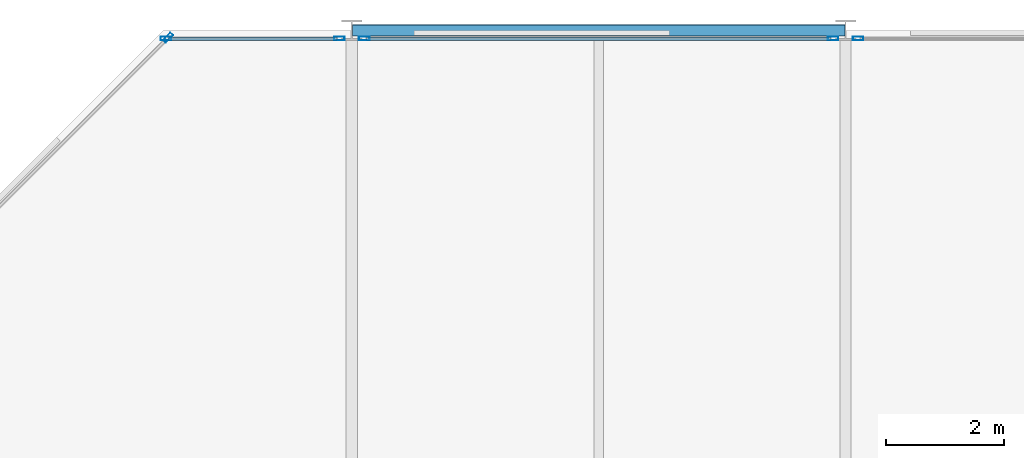
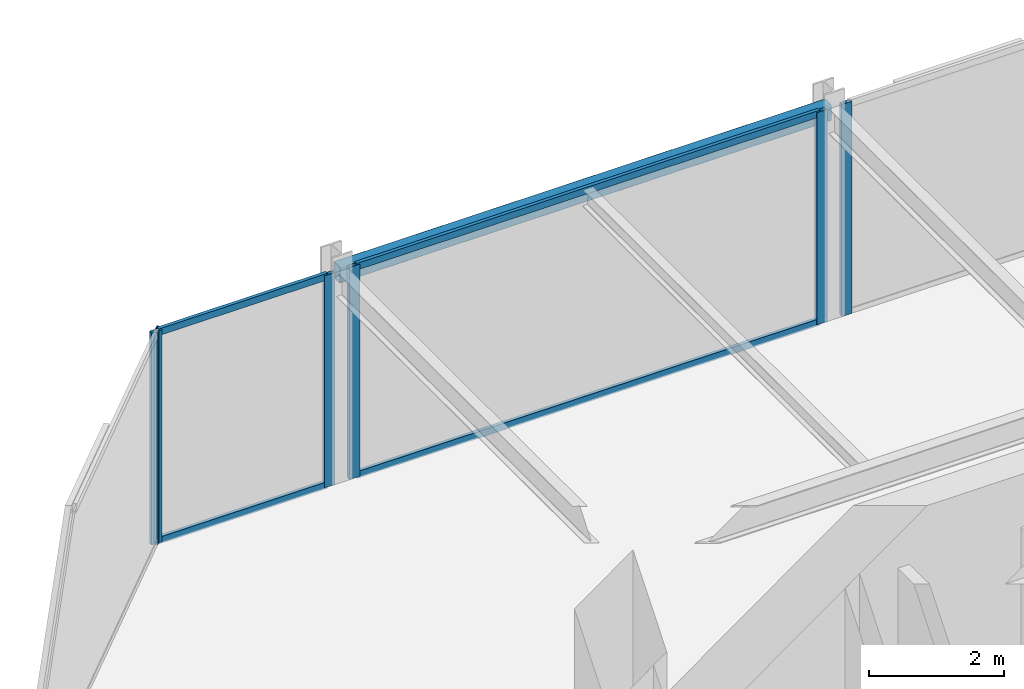
# One storey, part 20 of 29: 10 members, 1 beam, 4 elements without a shape of their own.
"""IFC4 building model written with IfcOpenShell, lengths in metres."""

from ifc_helpers import new_model, si_unit, direction, frame, origin, origin_2d, place, context, subcontext, project, spatial, hollow_rectangle, extrude, material, layer, layer_set, material_profile, profile_set, type_object, element, aggregate, save


model = new_model("IFC4")

# Units and contexts
model_context = context("Model", 3, precision=1e-05, world=origin(), true_north=direction((0.0, 1.0)))
body_context = subcontext(model_context, "Body", "Model", "MODEL_VIEW")
ifc_project = project(units=[si_unit("LENGTHUNIT", "METRE"), si_unit("AREAUNIT", "SQUARE_METRE"), si_unit("VOLUMEUNIT", "CUBIC_METRE"), si_unit("PLANEANGLEUNIT", "RADIAN"), si_unit("MASSUNIT", "GRAM", prefix="KILO")], contexts=[model_context])

# Site, building, storey
site_placement = place(None, origin())
site = spatial("IfcSite", under=ifc_project, at=site_placement, CompositionType="ELEMENT")
building_placement = place(site_placement, origin())
building = spatial("IfcBuilding", under=site, at=building_placement, Name="Nerrivon Quay Data Exchange", CompositionType="ELEMENT")
storey_placement = place(building_placement, frame((0.0, 0.0, 183.699951171875)))
storey = spatial("IfcBuildingStorey", under=building, at=storey_placement, Name="L43", CompositionType="ELEMENT", Elevation=183.699951171875)

# Beam
ifc_material_1 = material(Name="Steel Grade C350L0 (350 MPa)", Category="steel")
ifc_material_profile_1 = material_profile(ifc_material_1, hollow_rectangle(XDim=0.199951171875, YDim=0.300048828125, WallThickness=0.012451171875, InnerFilletRadius=0.018798828125, OuterFilletRadius=0.03125, at=origin_2d()), Name="300x200x12.5RHS")
ifc_profile_set_1 = profile_set([ifc_material_profile_1], Name="Steel Grade C350L0 (350 MPa)")
beam_type = type_object("IfcBeamType", Name="BM-SP3-300x200RHS", PredefinedType="SPANDREL", material=ifc_profile_set_1)
beam_placement = place(storey_placement, frame((8.409912109375, 50.39990234375, 3.675048828125), z_axis=(1.0, 0.0, 0.0), x_axis=(0.0, 1.0, 0.0)))
element("IfcBeam", 1, at=beam_placement, inside=storey, type_object=beam_type, Name="L43 EW Girder Y=50.4 (8.4..16.8)", PredefinedType="SPANDREL", context=body_context, shape_type="SweptSolid", body=[
    extrude(hollow_rectangle(XDim=0.199951171875, YDim=0.300048828125, WallThickness=0.012451171875, InnerFilletRadius=0.018798828125, OuterFilletRadius=0.03125, at=origin_2d()), origin(), (0.0, 0.0, 1.0), 8.380126953125),
])

# Curtain wall, member
ifc_material_2 = material(Name="Anodised aluminium 6063-T6", Category="aluminium")
ifc_layer = layer(ifc_material_2, 0.195068359375)
ifc_layer_set = layer_set([ifc_layer], Name="Anodised aluminium 6063-T6")
curtain_wall_type = type_object("IfcCurtainWallType", Name="CW-SYS-06", PredefinedType="NOTDEFINED", material=ifc_layer_set)
curtain_wall_1_placement = place(storey_placement, origin())
curtain_wall_1 = element("IfcCurtainWall", 2, at=curtain_wall_1_placement, inside=storey, type_object=curtain_wall_type, Name="L43 Unitised Curtain Wall 7", PredefinedType="NOTDEFINED")
ifc_material_profile_2 = material_profile(ifc_material_2, hollow_rectangle(XDim=0.06494140625, YDim=0.179931640625, WallThickness=0.00341796875, at=origin_2d()), Name="ALU-MULL-180x65")
ifc_profile_set_2 = profile_set([ifc_material_profile_2], Name="Anodised aluminium 6063-T6")
member_type_1 = type_object("IfcMemberType", Name="CWM-180x65", PredefinedType="MULLION", material=ifc_profile_set_2)
member_1_placement = place(storey_placement, frame((5.2724609375, 50.2744140625, 0.0), z_axis=(0.0, 0.0, 1.0), x_axis=(-0.707106781187, 0.707106781187, 0.0)))
member_1 = element("IfcMember", 3, at=member_1_placement, type_object=member_type_1, Name="CW06 mullion 2", PredefinedType="MULLION", context=body_context, shape_type="SweptSolid", body=[
    extrude(hollow_rectangle(XDim=0.06494140625, YDim=0.179931640625, WallThickness=0.00341796875, at=origin_2d()), origin(), (0.0, 0.0, 1.0), 3.824951171875),
])
aggregate(curtain_wall_1, [member_1])

# Curtain wall, members
curtain_wall_2_placement = place(storey_placement, origin())
curtain_wall_2 = element("IfcCurtainWall", 4, at=curtain_wall_2_placement, inside=storey, type_object=curtain_wall_type, Name="L43 Unitised Curtain Wall 8", PredefinedType="NOTDEFINED")
member_2_placement = place(storey_placement, frame((5.237548828125, 50.260009765625, 0.0), z_axis=(0.0, 0.0, 1.0), x_axis=(0.0, 1.0, 0.0)))
member_2 = element("IfcMember", 5, at=member_2_placement, type_object=member_type_1, Name="CW06 mullion 1", PredefinedType="MULLION", context=body_context, shape_type="SweptSolid", body=[
    extrude(hollow_rectangle(XDim=0.06494140625, YDim=0.179931640625, WallThickness=0.00341796875, at=origin_2d()), origin(), (0.0, 0.0, 1.0), 3.824951171875),
])
member_3_placement = place(storey_placement, frame((8.1875, 50.260009765625, 0.0), z_axis=(0.0, 0.0, 1.0), x_axis=(0.0, 1.0, 0.0)))
member_3 = element("IfcMember", 6, at=member_3_placement, type_object=member_type_1, Name="CW06 mullion 2", PredefinedType="MULLION", context=body_context, shape_type="SweptSolid", body=[
    extrude(hollow_rectangle(XDim=0.06494140625, YDim=0.179931640625, WallThickness=0.00341796875, at=origin_2d()), origin(), (0.0, 0.0, 1.0), 3.824951171875),
])

curtain_wall_3_placement = place(storey_placement, origin())
curtain_wall_3 = element("IfcCurtainWall", 7, at=curtain_wall_3_placement, inside=storey, type_object=curtain_wall_type, Name="L43 Unitised Curtain Wall 9", PredefinedType="NOTDEFINED")
member_4_placement = place(storey_placement, frame((8.612548828125, 50.260009765625, 0.0), z_axis=(0.0, 0.0, 1.0), x_axis=(0.0, 1.0, 0.0)))
member_4 = element("IfcMember", 8, at=member_4_placement, type_object=member_type_1, Name="CW06 mullion 1", PredefinedType="MULLION", context=body_context, shape_type="SweptSolid", body=[
    extrude(hollow_rectangle(XDim=0.06494140625, YDim=0.179931640625, WallThickness=0.00341796875, at=origin_2d()), origin(), (0.0, 0.0, 1.0), 3.824951171875),
])
member_5_placement = place(storey_placement, frame((16.58740234375, 50.260009765625, 0.0), z_axis=(0.0, 0.0, 1.0), x_axis=(0.0, 1.0, 0.0)))
member_5 = element("IfcMember", 9, at=member_5_placement, type_object=member_type_1, Name="CW06 mullion 2", PredefinedType="MULLION", context=body_context, shape_type="SweptSolid", body=[
    extrude(hollow_rectangle(XDim=0.06494140625, YDim=0.179931640625, WallThickness=0.00341796875, at=origin_2d()), origin(), (0.0, 0.0, 1.0), 3.824951171875),
])

# Curtain wall, member
curtain_wall_4_placement = place(storey_placement, origin())
curtain_wall_4 = element("IfcCurtainWall", 10, at=curtain_wall_4_placement, inside=storey, type_object=curtain_wall_type, Name="L43 Unitised Curtain Wall 10", PredefinedType="NOTDEFINED")
member_6_placement = place(storey_placement, frame((17.012451171875, 50.260009765625, 0.0), z_axis=(0.0, 0.0, 1.0), x_axis=(0.0, 1.0, 0.0)))
member_6 = element("IfcMember", 11, at=member_6_placement, type_object=member_type_1, Name="CW06 mullion 1", PredefinedType="MULLION", context=body_context, shape_type="SweptSolid", body=[
    extrude(hollow_rectangle(XDim=0.06494140625, YDim=0.179931640625, WallThickness=0.00341796875, at=origin_2d()), origin(), (0.0, 0.0, 1.0), 3.824951171875),
])
aggregate(curtain_wall_4, [member_6])

# Member
ifc_material_profile_3 = material_profile(ifc_material_2, hollow_rectangle(XDim=0.06005859375, YDim=0.1201171875, WallThickness=0.003173828125, at=origin_2d()), Name="ALU-TRAN-120x60")
ifc_profile_set_3 = profile_set([ifc_material_profile_3], Name="Anodised aluminium 6063-T6")
member_type_2 = type_object("IfcMemberType", Name="CWT-120x60", PredefinedType="USERDEFINED", material=ifc_profile_set_3)
member_7_placement = place(storey_placement, frame((5.27490234375, 50.260009765625, 0.032470703125), z_axis=(1.0, 0.0, 0.0), x_axis=(0.0, 1.0, 0.0)))
member_7 = element("IfcMember", 12, at=member_7_placement, type_object=member_type_2, Name="CW06 transom 1.1", ObjectType="TRANSOM", PredefinedType="USERDEFINED", context=body_context, shape_type="SweptSolid", body=[
    extrude(hollow_rectangle(XDim=0.06005859375, YDim=0.1201171875, WallThickness=0.003173828125, at=origin_2d()), origin(), (0.0, 0.0, 1.0), 2.875),
])

member_8_placement = place(storey_placement, frame((5.27490234375, 50.260009765625, 3.79248046875), z_axis=(1.0, 0.0, 0.0), x_axis=(0.0, 1.0, 0.0)))
member_8 = element("IfcMember", 13, at=member_8_placement, type_object=member_type_2, Name="CW06 transom 1.2", ObjectType="TRANSOM", PredefinedType="USERDEFINED", context=body_context, shape_type="SweptSolid", body=[
    extrude(hollow_rectangle(XDim=0.06005859375, YDim=0.1201171875, WallThickness=0.003173828125, at=origin_2d()), origin(), (0.0, 0.0, 1.0), 2.875),
])

aggregate(curtain_wall_2, [member_2, member_3, member_7, member_8])

member_9_placement = place(storey_placement, frame((8.64990234375, 50.260009765625, 0.032470703125), z_axis=(1.0, 0.0, 0.0), x_axis=(0.0, 1.0, 0.0)))
member_9 = element("IfcMember", 14, at=member_9_placement, type_object=member_type_2, Name="CW06 transom 1.1", ObjectType="TRANSOM", PredefinedType="USERDEFINED", context=body_context, shape_type="SweptSolid", body=[
    extrude(hollow_rectangle(XDim=0.06005859375, YDim=0.1201171875, WallThickness=0.003173828125, at=origin_2d()), origin(), (0.0, 0.0, 1.0), 7.900146484375),
])

member_10_placement = place(storey_placement, frame((8.64990234375, 50.260009765625, 3.79248046875), z_axis=(1.0, 0.0, 0.0), x_axis=(0.0, 1.0, 0.0)))
member_10 = element("IfcMember", 15, at=member_10_placement, type_object=member_type_2, Name="CW06 transom 1.2", ObjectType="TRANSOM", PredefinedType="USERDEFINED", context=body_context, shape_type="SweptSolid", body=[
    extrude(hollow_rectangle(XDim=0.06005859375, YDim=0.1201171875, WallThickness=0.003173828125, at=origin_2d()), origin(), (0.0, 0.0, 1.0), 7.900146484375),
])

aggregate(curtain_wall_3, [member_4, member_5, member_9, member_10])

save(model, "model.ifc")
